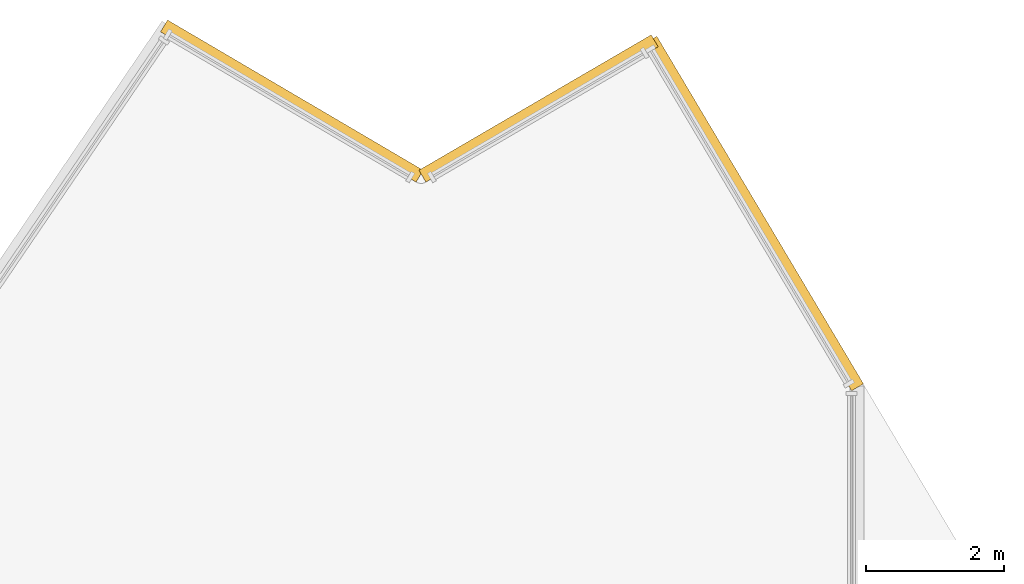
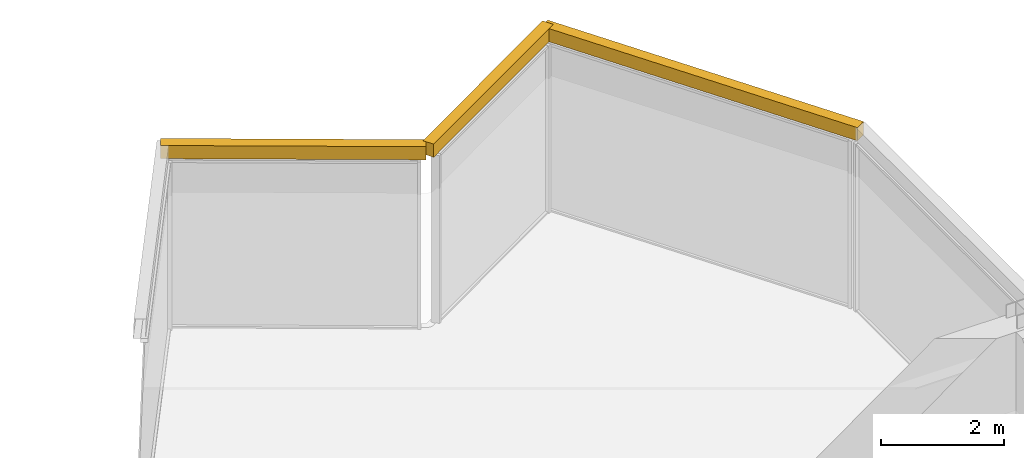
# One storey, part 14 of 15: 3 coverings.
"""IFC4 building model written with IfcOpenShell, lengths in metres."""

from ifc_helpers import new_model, si_unit, direction, frame, origin, place, context, subcontext, project, spatial, polyline, outline, extrude, material, layer, layer_set, type_object, element, save


model = new_model("IFC4")

# Units and contexts
model_context = context("Model", 3, precision=1e-05, world=origin(), true_north=direction((0.0, 1.0)))
body_context = subcontext(model_context, "Body", "Model", "MODEL_VIEW")
ifc_project = project(units=[si_unit("LENGTHUNIT", "METRE"), si_unit("AREAUNIT", "SQUARE_METRE"), si_unit("VOLUMEUNIT", "CUBIC_METRE"), si_unit("PLANEANGLEUNIT", "RADIAN"), si_unit("MASSUNIT", "GRAM", prefix="KILO")], contexts=[model_context])

# Site, building, storey
site_placement = place(None, origin())
site = spatial("IfcSite", under=ifc_project, at=site_placement, CompositionType="ELEMENT")
building_placement = place(site_placement, origin())
building = spatial("IfcBuilding", under=site, at=building_placement, Name="Savorim Split Tower", CompositionType="ELEMENT")
storey_placement = place(building_placement, frame((0.0, 0.0, 297.60009765625)))
storey = spatial("IfcBuildingStorey", under=building, at=storey_placement, Name="Crown L79 Plant", CompositionType="ELEMENT", Elevation=297.60009765625)

# Coverings
ifc_material = material(Name="Terracotta Ceramic-Coated Aluminium Fin", Category="masonry")
ifc_layer = layer(ifc_material, 0.050048828125)
ifc_layer_set = layer_set([ifc_layer], Name="COV-CLAD-TERRA")
covering_type = type_object("IfcCoveringType", Name="COV-CLAD-TERRA", PredefinedType="CLADDING", material=ifc_layer_set)
covering_1_placement = place(storey_placement, frame((0.0, 0.0, 3.33984375)))
element("IfcCovering", 1, at=covering_1_placement, inside=storey, type_object=covering_type, Name="Crown L79 Plant Sloped Crest Eave Spandrel W2", PredefinedType="CLADDING", context=body_context, shape_type="SweptSolid", body=[
    extrude(outline(polyline([(8.1015625, 16.02099609375), (5.101318359375, 21.06689453125), (4.92919921875, 20.964599609375), (7.9296875, 15.918701171875), (8.1015625, 16.02099609375)])), origin(), (0.0, 0.0, 1.0), 0.260009765625),
])
covering_2_placement = place(storey_placement, frame((0.0, 0.0, 3.33984375)))
element("IfcCovering", 2, at=covering_2_placement, inside=storey, type_object=covering_type, Name="Crown L79 Plant Sloped Crest Eave Spandrel W3", PredefinedType="CLADDING", context=body_context, shape_type="SweptSolid", body=[
    extrude(outline(polyline([(5.019287109375, 21.087890625), (1.646728515625, 19.122314453125), (1.74755859375, 18.94970703125), (5.1201171875, 20.915283203125), (5.019287109375, 21.087890625)])), origin(), (0.0, 0.0, 1.0), 0.260009765625),
])
covering_3_placement = place(storey_placement, frame((0.0, 0.0, 3.33984375)))
element("IfcCovering", 3, at=covering_3_placement, inside=storey, type_object=covering_type, Name="Crown L79 Plant Sloped Crest Eave Spandrel W4", PredefinedType="CLADDING", context=body_context, shape_type="SweptSolid", body=[
    extrude(outline(polyline([(1.70751953125, 19.122314453125), (-2.004150390625, 21.3037109375), (-2.10546875, 21.13134765625), (1.606201171875, 18.949951171875), (1.70751953125, 19.122314453125)])), origin(), (0.0, 0.0, 1.0), 0.260009765625),
])

save(model, "model.ifc")
